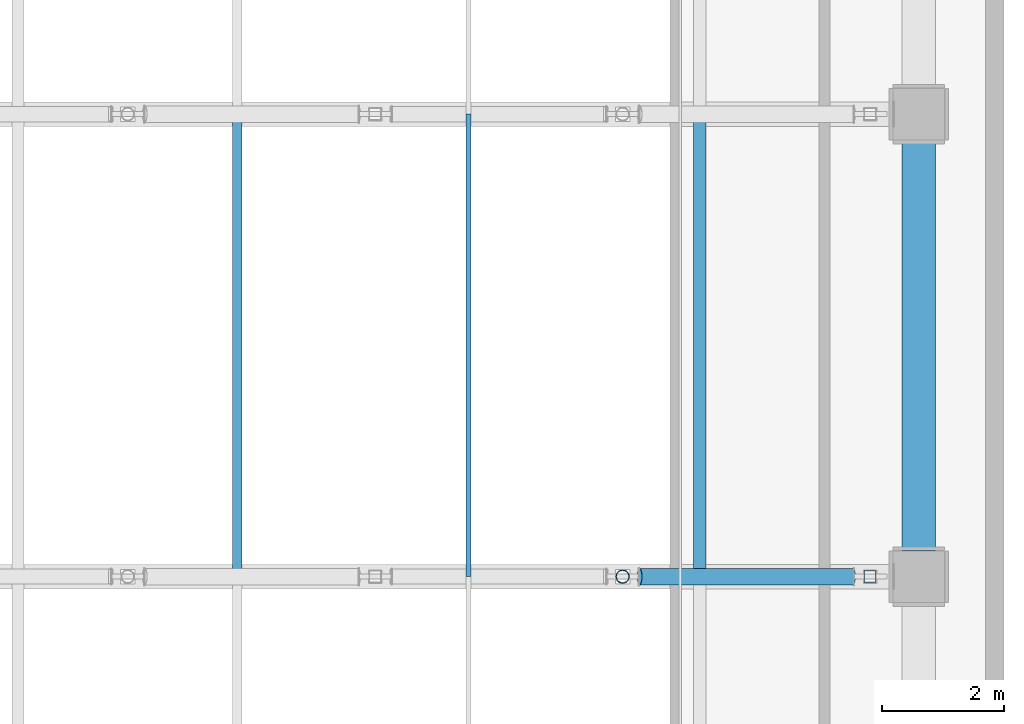
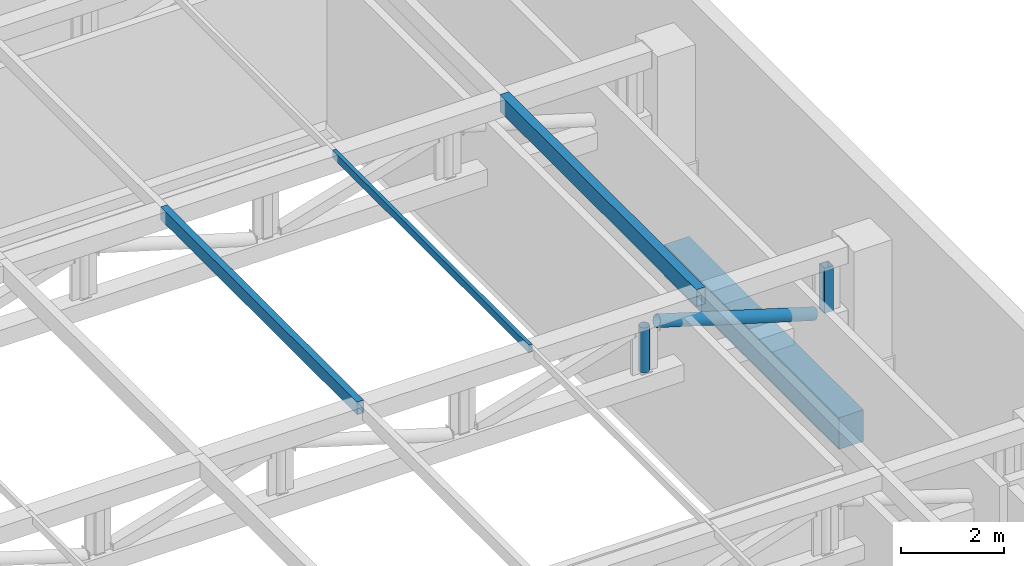
# One storey, part 11 of 25: 6 members, 1 beam.
"""IFC4 building model written with IfcOpenShell, lengths in metres."""

import ifcopenshell
import ifcopenshell.guid

model = None  # the IFC model being written
_history = None  # IfcOwnerHistory: only IFC2X3 demands one
_inside = {}  # id of a spatial element -> (the spatial element, [elements in it])
_under = {}  # id of a project, library or spatial element -> (it, [spatial elements below it])
_declared = {}  # id of a project -> (the project, [libraries it declares])
_typed = {}  # id of a type object -> (the type object, [elements of that type])
_made_of = {}  # id of a material, layer set ... -> (it, [elements and type objects made of it])


def new_model(schema):
    """Start an empty IFC model of exactly this schema.

    Asked for "IFC4X3", IfcOpenShell would pick the latest addendum, in which some entities
    have other attributes; the version numbers below select the first issue.
    IFC2X3 requires an IfcOwnerHistory on every rooted entity: one is made here for all.
    """
    global model, _history
    if schema == "IFC4X3":
        model = ifcopenshell.file(schema_version=(4, 3, 0, 0))
    else:
        model = ifcopenshell.file(schema=schema)
    _inside.clear()
    _under.clear()
    _declared.clear()
    _typed.clear()
    _made_of.clear()
    _history = None
    if model.schema == "IFC2X3":
        org = make("IfcOrganization", Name="unknown")
        user = make(
            "IfcPersonAndOrganization",
            ThePerson=make("IfcPerson", FamilyName="unknown"),
            TheOrganization=org,
        )
        app = make(
            "IfcApplication",
            ApplicationDeveloper=org,
            Version="unknown",
            ApplicationFullName="unknown",
            ApplicationIdentifier="unknown",
        )
        _history = make(
            "IfcOwnerHistory",
            OwningUser=user,
            OwningApplication=app,
            ChangeAction="ADDED",
            CreationDate=0,
        )
    return model


def make(cls, **values):
    """One entity of the class cls with the attributes given. An attribute that is None is left unset."""
    return model.create_entity(
        cls, **{name: value for name, value in values.items() if value is not None}
    )


def rooted(cls, **values):
    """An entity with a GlobalId (a new one), such as an element, a storey or a relation."""
    return make(cls, GlobalId=ifcopenshell.guid.new(), OwnerHistory=_history, **values)


def si_unit(unit_type, name, prefix=None):
    """IfcSIUnit, for example si_unit("LENGTHUNIT", "METRE", prefix="MILLI")."""
    return make("IfcSIUnit", UnitType=unit_type, Prefix=prefix, Name=name)


def assignment(units):
    """IfcUnitAssignment: the units of a project."""
    return None if units is None else make("IfcUnitAssignment", Units=units)


def point(xyz):
    """IfcCartesianPoint."""
    return None if xyz is None else make("IfcCartesianPoint", Coordinates=xyz)


def direction(xyz):
    """IfcDirection."""
    return None if xyz is None else make("IfcDirection", DirectionRatios=xyz)


def frame(location, z_axis=None, x_axis=None):
    """IfcAxis2Placement3D, a coordinate frame: its origin and axes. An axis left out is left unset."""
    return make(
        "IfcAxis2Placement3D",
        Location=point(location),
        Axis=direction(z_axis),
        RefDirection=direction(x_axis),
    )


def frame_2d(location, x_axis=None):
    """IfcAxis2Placement2D, a coordinate frame in the plane: its origin and x axis."""
    return make(
        "IfcAxis2Placement2D", Location=point(location), RefDirection=direction(x_axis)
    )


def origin():
    """The frame at (0, 0, 0) with its axes left unset."""
    return frame((0.0, 0.0, 0.0))


def origin_2d():
    """The frame at (0, 0) in the plane with its x axis left unset."""
    return frame_2d((0.0, 0.0))


def place(relative_to, where):
    """IfcLocalPlacement: puts the frame where relative to a parent placement (None: the world)."""
    return make(
        "IfcLocalPlacement", PlacementRelTo=relative_to, RelativePlacement=where
    )


def context(
    kind, dimensions, precision=None, world=None, true_north=None, identifier=None
):
    """IfcGeometricRepresentationContext, for example the 3D "Model" context."""
    return make(
        "IfcGeometricRepresentationContext",
        ContextIdentifier=identifier,
        ContextType=kind,
        CoordinateSpaceDimension=dimensions,
        Precision=precision,
        WorldCoordinateSystem=world,
        TrueNorth=true_north,
    )


def subcontext(parent, identifier, kind, view, scale=None):
    """IfcGeometricRepresentationSubContext, for example "Body" below "Model"."""
    return make(
        "IfcGeometricRepresentationSubContext",
        ContextIdentifier=identifier,
        ContextType=kind,
        ParentContext=parent,
        TargetScale=scale,
        TargetView=view,
    )


def project(units=None, contexts=None):
    """IfcProject with its units and contexts."""
    return rooted(
        "IfcProject",
        Name="project",
        RepresentationContexts=contexts,
        UnitsInContext=assignment(units),
    )


def spatial(cls, under=None, at=None, **own):
    """A site, building, storey or space (cls), placed at a placement, below another one or the project."""
    s = rooted(cls, ObjectPlacement=at, **own)
    if under is not None:
        _under.setdefault(under.id(), (under, []))[1].append(s)
    return s


def profile(cls, at=None, kind="AREA", **sizes):
    """A parametric profile (cls). Its sizes go by their IFC names, for example OverallWidth=200.0."""
    return make(cls, ProfileType=kind, Position=at, **sizes)


def rectangle(**sizes):
    """IfcRectangleProfileDef."""
    return profile("IfcRectangleProfileDef", **sizes)


def hollow_rectangle(**sizes):
    """IfcRectangleHollowProfileDef."""
    return profile("IfcRectangleHollowProfileDef", **sizes)


def hollow_circle(**sizes):
    """IfcCircleHollowProfileDef."""
    return profile("IfcCircleHollowProfileDef", **sizes)


def extrude(swept, where, along, depth):
    """IfcExtrudedAreaSolid: the profile swept, set in the frame where, extruded along a direction by depth."""
    return make(
        "IfcExtrudedAreaSolid",
        SweptArea=swept,
        Position=where,
        ExtrudedDirection=direction(along),
        Depth=depth,
    )


def shape(context_of_items, identifier, shape_type, items):
    """IfcShapeRepresentation: the items that make up one representation, for example the "Body"."""
    return make(
        "IfcShapeRepresentation",
        ContextOfItems=context_of_items,
        RepresentationIdentifier=identifier,
        RepresentationType=shape_type,
        Items=items,
    )


def material(Name=None, Category=None):
    """IfcMaterial."""
    return make("IfcMaterial", Name=Name, Category=Category)


def material_profile(
    of_material, cross_section, Name=None, Category=None, Priority=None
):
    """IfcMaterialProfile: a cross section and its material."""
    return make(
        "IfcMaterialProfile",
        Name=Name,
        Material=of_material,
        Profile=cross_section,
        Priority=Priority,
        Category=Category,
    )


def profile_set(profiles, Name=None, composite=None):
    """IfcMaterialProfileSet."""
    return make(
        "IfcMaterialProfileSet",
        Name=Name,
        MaterialProfiles=profiles,
        CompositeProfile=composite,
    )


def made_of(thing, what):
    """Note that an element or type object is made of a material, layer set ...; save() writes the relation."""
    if what is not None:
        _made_of.setdefault(what.id(), (what, []))[1].append(thing)
    return thing


def type_object(cls, material=None, **own):
    """A type object (cls), such as IfcWallType, which elements share."""
    return made_of(rooted(cls, **own), material)


def element(
    cls,
    number,
    at=None,
    inside=None,
    cuts=None,
    type_object=None,
    material=None,
    context=None,
    identifier="Body",
    shape_type=None,
    held_by="IfcProductDefinitionShape",
    body=None,
    shapes=None,
    **own,
):
    """One element of the class cls, such as IfcWall. Its Tag is "e" and its number.

    at: its placement. inside: the storey or other place that contains it. cuts: it is an
    opening in that element (IfcRelVoidsElement). A single representation is given by context,
    identifier, shape_type and body (its items); several are given by shapes. held_by: the class
    of the entity that holds the representations. save() writes the other relations.
    """
    e = rooted(cls, Tag="e%d" % number, ObjectPlacement=at, **own)
    if body is not None:
        shapes = [shape(context, identifier, shape_type, body)]
    if shapes is not None:
        e.Representation = make(held_by, Representations=shapes)
    if inside is not None:
        _inside.setdefault(inside.id(), (inside, []))[1].append(e)
    if cuts is not None:
        rooted(
            "IfcRelVoidsElement", RelatingBuildingElement=cuts, RelatedOpeningElement=e
        )
    if type_object is not None:
        _typed.setdefault(type_object.id(), (type_object, []))[1].append(e)
    return made_of(e, material)


def aggregate(whole, parts):
    """IfcRelAggregates: a whole, such as a stair, and the parts it consists of."""
    return rooted("IfcRelAggregates", RelatingObject=whole, RelatedObjects=parts)


def save(model, path):
    """Write the relations noted so far, then the file.

    IfcRelAggregates (storeys below a building ...), IfcRelContainedInSpatialStructure (elements
    in a storey), IfcRelDefinesByType, IfcRelAssociatesMaterial and IfcRelDeclares: one each for
    every whole, place, type object, material and project.
    """
    for whole, parts in _under.values():
        aggregate(whole, parts)
    for where, things in _inside.values():
        rooted(
            "IfcRelContainedInSpatialStructure",
            RelatedElements=things,
            RelatingStructure=where,
        )
    for kind, things in _typed.values():
        rooted("IfcRelDefinesByType", RelatedObjects=things, RelatingType=kind)
    for what, things in _made_of.values():
        rooted("IfcRelAssociatesMaterial", RelatedObjects=things, RelatingMaterial=what)
    for by, libraries in _declared.values():
        rooted("IfcRelDeclares", RelatingContext=by, RelatedDefinitions=libraries)
    model.write(path)


model = new_model("IFC4")

# Units and contexts
model_context = context("Model", 3, precision=1e-05, world=origin(), true_north=direction((0.0, 1.0)))
body_context = subcontext(model_context, "Body", "Model", "MODEL_VIEW")
ifc_project = project(units=[si_unit("LENGTHUNIT", "METRE"), si_unit("AREAUNIT", "SQUARE_METRE"), si_unit("VOLUMEUNIT", "CUBIC_METRE"), si_unit("PLANEANGLEUNIT", "RADIAN"), si_unit("MASSUNIT", "GRAM", prefix="KILO")], contexts=[model_context])

# Site, building, storey
site_placement = place(None, origin())
site = spatial("IfcSite", under=ifc_project, at=site_placement, CompositionType="ELEMENT")
building_placement = place(site_placement, origin())
building = spatial("IfcBuilding", under=site, at=building_placement, Name="Solanera Arch Residences", CompositionType="ELEMENT")
storey_placement = place(building_placement, frame((0.0, 0.0, 17.800048828125)))
storey = spatial("IfcBuildingStorey", under=building, at=storey_placement, Name="L04", CompositionType="ELEMENT", Elevation=17.800048828125)

# Beam
ifc_material_1 = material(Name="Concrete C40/50 (f'c = 45 MPa)", Category="concrete")
ifc_material_profile_1 = material_profile(ifc_material_1, rectangle(XDim=0.550048828125, YDim=0.75, at=origin_2d()))
ifc_profile_set_1 = profile_set([ifc_material_profile_1], Name="Concrete C40/50 (f'c = 45 MPa)")
beam_type = type_object("IfcBeamType", Name="Primary Beam RC-BM-550X750", PredefinedType="BEAM", material=ifc_profile_set_1)
beam_placement = place(storey_placement, frame((81.800048828125, 27.22509765625, -0.655029296875), z_axis=(0.0, 1.0, 0.0), x_axis=(-1.0, 0.0, 0.0)))
element("IfcBeam", 1, at=beam_placement, inside=storey, type_object=beam_type, Name="BM-L04-HE-3", PredefinedType="BEAM", context=body_context, shape_type="SweptSolid", body=[
    extrude(rectangle(XDim=0.550048828125, YDim=0.75, at=origin_2d()), origin(), (0.0, 0.0, 1.0), 6.75),
])

# Members
ifc_material_2 = material(Name="Steel S355 (ASTM A992 / A572 Grade 50)", Category="steel")
ifc_material_profile_2 = material_profile(ifc_material_2, hollow_rectangle(XDim=0.080078125, YDim=0.179931640625, WallThickness=0.006103515625, at=origin_2d()))
ifc_profile_set_2 = profile_set([ifc_material_profile_2], Name="Steel S355 (ASTM A992 / A572 Grade 50)")
member_type_1 = type_object("IfcMemberType", Name="Roof Purlin HSS180X80X6", PredefinedType="PURLIN", material=ifc_profile_set_2)
member_1_placement = place(storey_placement, frame((74.39990234375, 26.800048828125, 4.10986328125), z_axis=(0.0, 1.0, 0.0), x_axis=(-1.0, 0.0, 0.0)))
element("IfcMember", 2, at=member_1_placement, inside=storey, type_object=member_type_1, Name="Sports Hall Roof Purlin 5.3", PredefinedType="PURLIN", context=body_context, shape_type="SweptSolid", body=[
    extrude(hollow_rectangle(XDim=0.080078125, YDim=0.179931640625, WallThickness=0.006103515625, at=origin_2d()), origin(), (0.0, 0.0, 1.0), 7.599853515625),
])
ifc_material_3 = material(Name="Steel S355 (ASTM A992 / A572 Grade 50)", Category="steel")
ifc_material_profile_3 = material_profile(ifc_material_3, hollow_rectangle(XDim=0.14990234375, YDim=0.300048828125, WallThickness=0.010009765625, at=origin_2d()))
ifc_profile_set_3 = profile_set([ifc_material_profile_3], Name="Steel S355 (ASTM A992 / A572 Grade 50)")
member_type_2 = type_object("IfcMemberType", Name="Roof Purlin HSS300X150X10", PredefinedType="PURLIN", material=ifc_profile_set_3)
member_2_placement = place(storey_placement, frame((70.60009765625, 26.800048828125, 4.050048828125), z_axis=(0.0, 1.0, 0.0), x_axis=(-1.0, 0.0, 0.0)))
element("IfcMember", 3, at=member_2_placement, inside=storey, type_object=member_type_2, Name="Sports Hall Roof Purlin 4.3", PredefinedType="PURLIN", context=body_context, shape_type="SweptSolid", body=[
    extrude(hollow_rectangle(XDim=0.14990234375, YDim=0.300048828125, WallThickness=0.010009765625, at=origin_2d()), origin(), (0.0, 0.0, 1.0), 7.599853515625),
])
ifc_material_4 = material(Name="Steel S355 (ASTM A992 / A572 Grade 50)", Category="steel")
ifc_material_profile_4 = material_profile(ifc_material_4, hollow_rectangle(XDim=0.199951171875, YDim=0.39990234375, WallThickness=0.012451171875, at=origin_2d()))
ifc_profile_set_4 = profile_set([ifc_material_profile_4], Name="Steel S355 (ASTM A992 / A572 Grade 50)")
member_type_3 = type_object("IfcMemberType", Name="Roof Purlin HSS400X200X12.5", PredefinedType="PURLIN", material=ifc_profile_set_4)
member_3_placement = place(storey_placement, frame((78.199951171875, 26.800048828125, 4.0), z_axis=(0.0, 1.0, 0.0), x_axis=(-1.0, 0.0, 0.0)))
element("IfcMember", 4, at=member_3_placement, inside=storey, type_object=member_type_3, Name="Sports Hall Roof Purlin 6.3", PredefinedType="PURLIN", context=body_context, shape_type="SweptSolid", body=[
    extrude(hollow_rectangle(XDim=0.199951171875, YDim=0.39990234375, WallThickness=0.012451171875, at=origin_2d()), origin(), (0.0, 0.0, 1.0), 7.599853515625),
])
ifc_material_5 = material(Name="Steel S355 (ASTM A992 / A572 Grade 50)", Category="steel")
ifc_material_profile_5 = material_profile(ifc_material_5, hollow_circle(Radius=0.109619140625, WallThickness=0.008056640625, at=origin_2d()))
ifc_profile_set_5 = profile_set([ifc_material_profile_5], Name="Steel S355 (ASTM A992 / A572 Grade 50)")
member_type_4 = type_object("IfcMemberType", Name="Strut CHS219.1X8", PredefinedType="STRUT", material=ifc_profile_set_5)
member_4_placement = place(storey_placement, frame((76.93310546875, 26.800048828125, 2.719970703125), z_axis=(0.0, 0.0, 1.0), x_axis=(1.0, 0.0, 0.0)))
element("IfcMember", 5, at=member_4_placement, inside=storey, type_object=member_type_4, Name="Sports Hall Roof Truss 2 Vertical Post 5", PredefinedType="STRUT", context=body_context, shape_type="SweptSolid", body=[
    extrude(hollow_circle(Radius=0.109619140625, WallThickness=0.008056640625, at=origin_2d()), origin(), (0.0, 0.0, 1.0), 1.06005859375),
])
ifc_material_6 = material(Name="Steel S355 (ASTM A992 / A572 Grade 50)", Category="steel")
ifc_material_profile_6 = material_profile(ifc_material_6, hollow_circle(Radius=0.136474609375, WallThickness=0.010009765625, at=origin_2d()))
ifc_profile_set_6 = profile_set([ifc_material_profile_6], Name="Steel S355 (ASTM A992 / A572 Grade 50)")
member_type_5 = type_object("IfcMemberType", Name="Truss Diagonal CHS273X10", PredefinedType="BRACE", material=ifc_profile_set_6)
member_5_placement = place(storey_placement, frame((77.212890625, 26.800048828125, 3.780029296875), z_axis=(0.957228167284, 0.0, -0.289334124772), x_axis=(0.0, 1.0, 0.0)))
element("IfcMember", 6, at=member_5_placement, inside=storey, type_object=member_type_5, Name="Sports Hall Roof Truss 2 Web Diagonal 6", PredefinedType="BRACE", context=body_context, shape_type="SweptSolid", body=[
    extrude(hollow_circle(Radius=0.136474609375, WallThickness=0.010009765625, at=origin_2d()), origin(), (0.0, 0.0, 1.0), 3.663818359375),
])
ifc_material_7 = material(Name="Steel S355 (ASTM A992 / A572 Grade 50)", Category="steel")
ifc_material_profile_7 = material_profile(ifc_material_7, hollow_rectangle(XDim=0.199951171875, YDim=0.199951171875, WallThickness=0.010009765625, at=origin_2d()))
ifc_profile_set_7 = profile_set([ifc_material_profile_7], Name="Steel S355 (ASTM A992 / A572 Grade 50)")
member_type_6 = type_object("IfcMemberType", Name="Truss Post HSS200X200X10", PredefinedType="STRUT", material=ifc_profile_set_7)
member_6_placement = place(storey_placement, frame((81.0, 26.800048828125, 2.719970703125), z_axis=(0.0, 0.0, 1.0), x_axis=(1.0, 0.0, 0.0)))
element("IfcMember", 7, at=member_6_placement, inside=storey, type_object=member_type_6, Name="Sports Hall Roof Truss 2 Vertical Post 6", PredefinedType="STRUT", context=body_context, shape_type="SweptSolid", body=[
    extrude(hollow_rectangle(XDim=0.199951171875, YDim=0.199951171875, WallThickness=0.010009765625, at=origin_2d()), origin(), (0.0, 0.0, 1.0), 1.06005859375),
])

save(model, "model.ifc")
